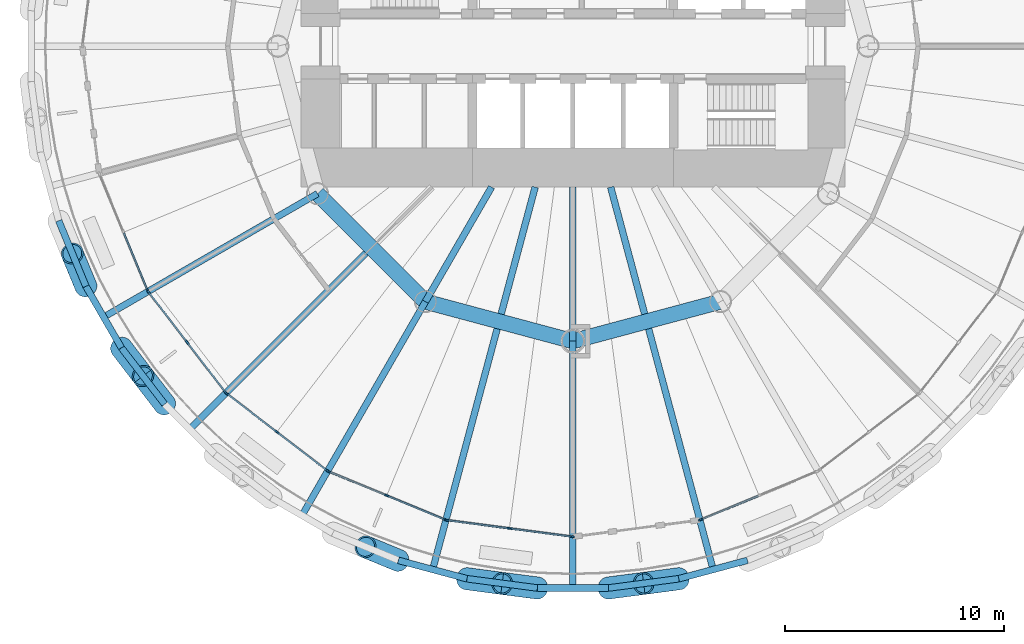
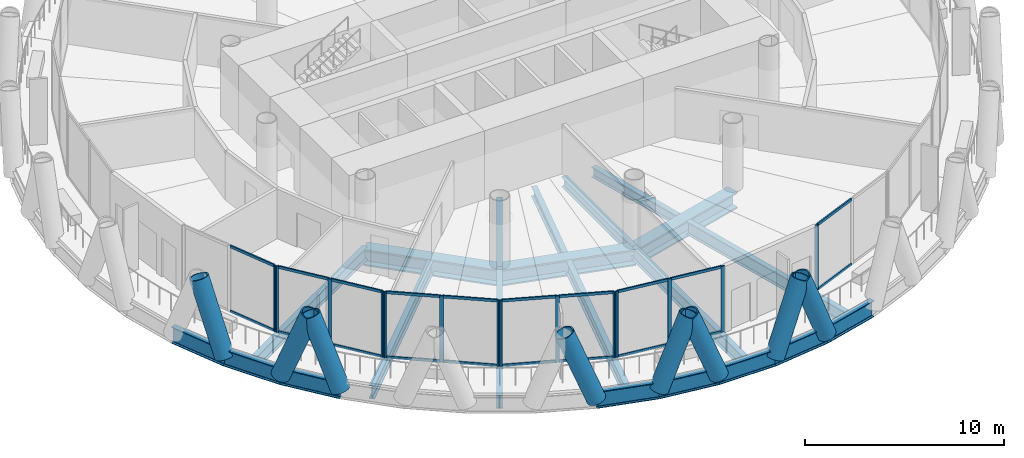
# One storey, part 2 of 15: 42 members, 21 beams, 6 elements without a shape of their own.
"""IFC4 building model written with IfcOpenShell, lengths in metres."""

from ifc_helpers import new_model, si_unit, direction, frame, origin, origin_2d, place, context, subcontext, project, spatial, rectangle, hollow_circle, i_section, extrude, material, material_profile, profile_set, type_object, element, aggregate, save


model = new_model("IFC4")

# Units and contexts
model_context = context("Model", 3, precision=1e-05, world=origin(), true_north=direction((0.0, 1.0)))
body_context = subcontext(model_context, "Body", "Model", "MODEL_VIEW")
ifc_project = project(units=[si_unit("LENGTHUNIT", "METRE"), si_unit("AREAUNIT", "SQUARE_METRE"), si_unit("VOLUMEUNIT", "CUBIC_METRE"), si_unit("PLANEANGLEUNIT", "RADIAN"), si_unit("MASSUNIT", "GRAM", prefix="KILO")], contexts=[model_context])

# Site, building, storey
site_placement = place(None, origin())
site = spatial("IfcSite", under=ifc_project, at=site_placement, CompositionType="ELEMENT")
building_placement = place(site_placement, origin())
building = spatial("IfcBuilding", under=site, at=building_placement, Name="Qaws Media Tower", CompositionType="ELEMENT")
storey_placement = place(building_placement, frame((0.0, 0.0, 147.800048828125)))
storey = spatial("IfcBuildingStorey", under=building, at=storey_placement, Name="L33", CompositionType="ELEMENT", Elevation=147.800048828125)

# Curtain wall, member
ifc_material_1 = material(Name="Aluminium and clear glass", Category="aluminium")
curtain_wall_type = type_object("IfcCurtainWallType", Name="Unitised curtain wall CW-B", PredefinedType="NOTDEFINED", material=ifc_material_1)
curtain_wall_1_placement = place(storey_placement, origin())
curtain_wall_1 = element("IfcCurtainWall", 1, at=curtain_wall_1_placement, inside=storey, type_object=curtain_wall_type, Name="CWB curtain wall L33-14", PredefinedType="NOTDEFINED")
ifc_material_2 = material(Name="Aluminium mullion", Category="aluminium")
ifc_material_profile_1 = material_profile(ifc_material_2, rectangle(XDim=0.080078125, YDim=0.199951171875, at=origin_2d()), Name="80x200")
ifc_profile_set_1 = profile_set([ifc_material_profile_1], Name="Aluminium mullion")
member_type_1 = type_object("IfcMemberType", Name="Curtain wall mullion 80x200", PredefinedType="MULLION", material=ifc_profile_set_1)
member_1_placement = place(storey_placement, frame((40.54248046875, 38.81201171875, 0.0), z_axis=(0.0, 0.0, 1.0), x_axis=(0.923879490527, 0.382683533725, 0.0)))
member_1 = element("IfcMember", 2, at=member_1_placement, type_object=member_type_1, Name="CWB mullion 3", PredefinedType="MULLION", context=body_context, shape_type="SweptSolid", body=[
    extrude(rectangle(XDim=0.080078125, YDim=0.199951171875, at=origin_2d()), origin(), (0.0, 0.0, 1.0), 4.0400390625),
])

# Curtain wall, members
curtain_wall_2_placement = place(storey_placement, origin())
curtain_wall_2 = element("IfcCurtainWall", 3, at=curtain_wall_2_placement, inside=storey, type_object=curtain_wall_type, Name="CWB curtain wall L33-15", PredefinedType="NOTDEFINED")
member_2_placement = place(storey_placement, frame((40.58203125, 38.7431640625, 0.0), z_axis=(0.0, 0.0, 1.0), x_axis=(0.793353331632, 0.608761440294, 0.0)))
member_2 = element("IfcMember", 4, at=member_2_placement, type_object=member_type_1, Name="CWB mullion 1", PredefinedType="MULLION", context=body_context, shape_type="SweptSolid", body=[
    extrude(rectangle(XDim=0.080078125, YDim=0.199951171875, at=origin_2d()), origin(), (0.0, 0.0, 1.0), 4.0400390625),
])
member_3_placement = place(storey_placement, frame((42.341552734375, 36.4501953125, 0.0), z_axis=(0.0, 0.0, 1.0), x_axis=(0.793353331632, 0.608761440294, 0.0)))
member_3 = element("IfcMember", 5, at=member_3_placement, type_object=member_type_1, Name="CWB mullion 2", PredefinedType="MULLION", context=body_context, shape_type="SweptSolid", body=[
    extrude(rectangle(XDim=0.080078125, YDim=0.199951171875, at=origin_2d()), origin(), (0.0, 0.0, 1.0), 4.0400390625),
])
member_4_placement = place(storey_placement, frame((44.10107421875, 34.1572265625, 0.0), z_axis=(0.0, 0.0, 1.0), x_axis=(0.793353331632, 0.608761440294, 0.0)))
member_4 = element("IfcMember", 6, at=member_4_placement, type_object=member_type_1, Name="CWB mullion 3", PredefinedType="MULLION", context=body_context, shape_type="SweptSolid", body=[
    extrude(rectangle(XDim=0.080078125, YDim=0.199951171875, at=origin_2d()), origin(), (0.0, 0.0, 1.0), 4.0400390625),
])

curtain_wall_3_placement = place(storey_placement, origin())
curtain_wall_3 = element("IfcCurtainWall", 7, at=curtain_wall_3_placement, inside=storey, type_object=curtain_wall_type, Name="CWB curtain wall L33-16", PredefinedType="NOTDEFINED")
member_5_placement = place(storey_placement, frame((44.1572265625, 34.10107421875, 0.0), z_axis=(0.0, 0.0, 1.0), x_axis=(0.608761440294, 0.793353331632, 0.0)))
member_5 = element("IfcMember", 8, at=member_5_placement, type_object=member_type_1, Name="CWB mullion 1", PredefinedType="MULLION", context=body_context, shape_type="SweptSolid", body=[
    extrude(rectangle(XDim=0.080078125, YDim=0.199951171875, at=origin_2d()), origin(), (0.0, 0.0, 1.0), 4.0400390625),
])
member_6_placement = place(storey_placement, frame((46.4501953125, 32.341552734375, 0.0), z_axis=(0.0, 0.0, 1.0), x_axis=(0.608761440294, 0.793353331632, 0.0)))
member_6 = element("IfcMember", 9, at=member_6_placement, type_object=member_type_1, Name="CWB mullion 2", PredefinedType="MULLION", context=body_context, shape_type="SweptSolid", body=[
    extrude(rectangle(XDim=0.080078125, YDim=0.199951171875, at=origin_2d()), origin(), (0.0, 0.0, 1.0), 4.0400390625),
])
member_7_placement = place(storey_placement, frame((48.7431640625, 30.58203125, 0.0), z_axis=(0.0, 0.0, 1.0), x_axis=(0.608761440294, 0.793353331632, 0.0)))
member_7 = element("IfcMember", 10, at=member_7_placement, type_object=member_type_1, Name="CWB mullion 3", PredefinedType="MULLION", context=body_context, shape_type="SweptSolid", body=[
    extrude(rectangle(XDim=0.080078125, YDim=0.199951171875, at=origin_2d()), origin(), (0.0, 0.0, 1.0), 4.0400390625),
])

curtain_wall_4_placement = place(storey_placement, origin())
curtain_wall_4 = element("IfcCurtainWall", 11, at=curtain_wall_4_placement, inside=storey, type_object=curtain_wall_type, Name="CWB curtain wall L33-17", PredefinedType="NOTDEFINED")
member_8_placement = place(storey_placement, frame((48.81201171875, 30.54248046875, 0.0), z_axis=(0.0, 0.0, 1.0), x_axis=(0.382683533725, 0.923879490527, 0.0)))
member_8 = element("IfcMember", 12, at=member_8_placement, type_object=member_type_1, Name="CWB mullion 1", PredefinedType="MULLION", context=body_context, shape_type="SweptSolid", body=[
    extrude(rectangle(XDim=0.080078125, YDim=0.199951171875, at=origin_2d()), origin(), (0.0, 0.0, 1.0), 4.0400390625),
])
member_9_placement = place(storey_placement, frame((51.482177734375, 29.436279296875, 0.0), z_axis=(0.0, 0.0, 1.0), x_axis=(0.382683533725, 0.923879490527, 0.0)))
member_9 = element("IfcMember", 13, at=member_9_placement, type_object=member_type_1, Name="CWB mullion 2", PredefinedType="MULLION", context=body_context, shape_type="SweptSolid", body=[
    extrude(rectangle(XDim=0.080078125, YDim=0.199951171875, at=origin_2d()), origin(), (0.0, 0.0, 1.0), 4.0400390625),
])
member_10_placement = place(storey_placement, frame((54.152587890625, 28.330322265625, 0.0), z_axis=(0.0, 0.0, 1.0), x_axis=(0.382683533725, 0.923879490527, 0.0)))
member_10 = element("IfcMember", 14, at=member_10_placement, type_object=member_type_1, Name="CWB mullion 3", PredefinedType="MULLION", context=body_context, shape_type="SweptSolid", body=[
    extrude(rectangle(XDim=0.080078125, YDim=0.199951171875, at=origin_2d()), origin(), (0.0, 0.0, 1.0), 4.0400390625),
])

curtain_wall_5_placement = place(storey_placement, origin())
curtain_wall_5 = element("IfcCurtainWall", 15, at=curtain_wall_5_placement, inside=storey, type_object=curtain_wall_type, Name="CWB curtain wall L33-18", PredefinedType="NOTDEFINED")
member_11_placement = place(storey_placement, frame((54.229248046875, 28.309814453125, 0.0), z_axis=(0.0, 0.0, 1.0), x_axis=(0.130526149047, 0.991444867058, 0.0)))
member_11 = element("IfcMember", 16, at=member_11_placement, type_object=member_type_1, Name="CWB mullion 1", PredefinedType="MULLION", context=body_context, shape_type="SweptSolid", body=[
    extrude(rectangle(XDim=0.080078125, YDim=0.199951171875, at=origin_2d()), origin(), (0.0, 0.0, 1.0), 4.0400390625),
])
member_12_placement = place(storey_placement, frame((57.0947265625, 27.932373046875, 0.0), z_axis=(0.0, 0.0, 1.0), x_axis=(0.130526149047, 0.991444867058, 0.0)))
member_12 = element("IfcMember", 17, at=member_12_placement, type_object=member_type_1, Name="CWB mullion 2", PredefinedType="MULLION", context=body_context, shape_type="SweptSolid", body=[
    extrude(rectangle(XDim=0.080078125, YDim=0.199951171875, at=origin_2d()), origin(), (0.0, 0.0, 1.0), 4.0400390625),
])
member_13_placement = place(storey_placement, frame((59.96044921875, 27.55517578125, 0.0), z_axis=(0.0, 0.0, 1.0), x_axis=(0.130526149047, 0.991444867058, 0.0)))
member_13 = element("IfcMember", 18, at=member_13_placement, type_object=member_type_1, Name="CWB mullion 3", PredefinedType="MULLION", context=body_context, shape_type="SweptSolid", body=[
    extrude(rectangle(XDim=0.080078125, YDim=0.199951171875, at=origin_2d()), origin(), (0.0, 0.0, 1.0), 4.0400390625),
])

# Curtain wall, member
curtain_wall_6_placement = place(storey_placement, origin())
curtain_wall_6 = element("IfcCurtainWall", 19, at=curtain_wall_6_placement, inside=storey, type_object=curtain_wall_type, Name="CWB curtain wall L33-20", PredefinedType="NOTDEFINED")
member_14_placement = place(storey_placement, frame((65.847412109375, 28.330322265625, 0.0), z_axis=(0.0, 0.0, 1.0), x_axis=(-0.382683533725, 0.923879490527, 0.0)))
member_14 = element("IfcMember", 20, at=member_14_placement, type_object=member_type_1, Name="CWB mullion 1", PredefinedType="MULLION", context=body_context, shape_type="SweptSolid", body=[
    extrude(rectangle(XDim=0.080078125, YDim=0.199951171875, at=origin_2d()), origin(), (0.0, 0.0, 1.0), 4.0400390625),
])

# Member
ifc_material_3 = material(Name="Aluminium transom", Category="aluminium")
ifc_material_profile_2 = material_profile(ifc_material_3, rectangle(XDim=0.080078125, YDim=0.159912109375, at=origin_2d()), Name="80x160")
ifc_profile_set_2 = profile_set([ifc_material_profile_2], Name="Aluminium transom")
member_type_2 = type_object("IfcMemberType", Name="Curtain wall transom 80x160", PredefinedType="USERDEFINED", material=ifc_profile_set_2)
member_15_placement = place(storey_placement, frame((39.45166015625, 41.4453125, 0.0400390625), z_axis=(0.382671476703, -0.923884484618, 0.0), x_axis=(0.923884484618, 0.382671476703, 0.0)))
member_15 = element("IfcMember", 21, at=member_15_placement, type_object=member_type_2, Name="CWB transom 2.1", ObjectType="TRANSOM", PredefinedType="USERDEFINED", context=body_context, shape_type="SweptSolid", body=[
    extrude(rectangle(XDim=0.080078125, YDim=0.159912109375, at=origin_2d()), origin(), (0.0, 0.0, 1.0), 2.810302734375),
])

member_16_placement = place(storey_placement, frame((39.45166015625, 41.4453125, 4.0), z_axis=(0.382671476703, -0.923884484618, 0.0), x_axis=(0.923884484618, 0.382671476703, 0.0)))
member_16 = element("IfcMember", 22, at=member_16_placement, type_object=member_type_2, Name="CWB transom 2.2", ObjectType="TRANSOM", PredefinedType="USERDEFINED", context=body_context, shape_type="SweptSolid", body=[
    extrude(rectangle(XDim=0.080078125, YDim=0.159912109375, at=origin_2d()), origin(), (0.0, 0.0, 1.0), 2.810302734375),
])

aggregate(curtain_wall_1, [member_1, member_15, member_16])

member_17_placement = place(storey_placement, frame((40.6064453125, 38.71142578125, 0.0400390625), z_axis=(0.608748849253, -0.793362992919, 0.0), x_axis=(0.793362992919, 0.608748849253, 0.0)))
member_17 = element("IfcMember", 23, at=member_17_placement, type_object=member_type_2, Name="CWB transom 1.1", ObjectType="TRANSOM", PredefinedType="USERDEFINED", context=body_context, shape_type="SweptSolid", body=[
    extrude(rectangle(XDim=0.080078125, YDim=0.159912109375, at=origin_2d()), origin(), (0.0, 0.0, 1.0), 2.81005859375),
])

member_18_placement = place(storey_placement, frame((40.6064453125, 38.71142578125, 4.0), z_axis=(0.608748849253, -0.793362992919, 0.0), x_axis=(0.793362992919, 0.608748849253, 0.0)))
member_18 = element("IfcMember", 24, at=member_18_placement, type_object=member_type_2, Name="CWB transom 1.2", ObjectType="TRANSOM", PredefinedType="USERDEFINED", context=body_context, shape_type="SweptSolid", body=[
    extrude(rectangle(XDim=0.080078125, YDim=0.159912109375, at=origin_2d()), origin(), (0.0, 0.0, 1.0), 2.81005859375),
])

member_19_placement = place(storey_placement, frame((42.365966796875, 36.41845703125, 0.0400390625), z_axis=(0.608748849253, -0.793362992919, 0.0), x_axis=(0.793362992919, 0.608748849253, 0.0)))
member_19 = element("IfcMember", 25, at=member_19_placement, type_object=member_type_2, Name="CWB transom 2.1", ObjectType="TRANSOM", PredefinedType="USERDEFINED", context=body_context, shape_type="SweptSolid", body=[
    extrude(rectangle(XDim=0.080078125, YDim=0.159912109375, at=origin_2d()), origin(), (0.0, 0.0, 1.0), 2.81005859375),
])

member_20_placement = place(storey_placement, frame((42.365966796875, 36.41845703125, 4.0), z_axis=(0.608748849253, -0.793362992919, 0.0), x_axis=(0.793362992919, 0.608748849253, 0.0)))
member_20 = element("IfcMember", 26, at=member_20_placement, type_object=member_type_2, Name="CWB transom 2.2", ObjectType="TRANSOM", PredefinedType="USERDEFINED", context=body_context, shape_type="SweptSolid", body=[
    extrude(rectangle(XDim=0.080078125, YDim=0.159912109375, at=origin_2d()), origin(), (0.0, 0.0, 1.0), 2.81005859375),
])

aggregate(curtain_wall_2, [member_2, member_3, member_4, member_17, member_18, member_19, member_20])

member_21_placement = place(storey_placement, frame((44.18896484375, 34.07666015625, 0.0400390625), z_axis=(0.793362992919, -0.608748849253, 0.0), x_axis=(0.608748849253, 0.793362992919, 0.0)))
member_21 = element("IfcMember", 27, at=member_21_placement, type_object=member_type_2, Name="CWB transom 1.1", ObjectType="TRANSOM", PredefinedType="USERDEFINED", context=body_context, shape_type="SweptSolid", body=[
    extrude(rectangle(XDim=0.080078125, YDim=0.159912109375, at=origin_2d()), origin(), (0.0, 0.0, 1.0), 2.81005859375),
])

member_22_placement = place(storey_placement, frame((44.18896484375, 34.07666015625, 4.0), z_axis=(0.793362992919, -0.608748849253, 0.0), x_axis=(0.608748849253, 0.793362992919, 0.0)))
member_22 = element("IfcMember", 28, at=member_22_placement, type_object=member_type_2, Name="CWB transom 1.2", ObjectType="TRANSOM", PredefinedType="USERDEFINED", context=body_context, shape_type="SweptSolid", body=[
    extrude(rectangle(XDim=0.080078125, YDim=0.159912109375, at=origin_2d()), origin(), (0.0, 0.0, 1.0), 2.81005859375),
])

member_23_placement = place(storey_placement, frame((46.48193359375, 32.317138671875, 0.0400390625), z_axis=(0.793362992919, -0.608748849253, 0.0), x_axis=(0.608748849253, 0.793362992919, 0.0)))
member_23 = element("IfcMember", 29, at=member_23_placement, type_object=member_type_2, Name="CWB transom 2.1", ObjectType="TRANSOM", PredefinedType="USERDEFINED", context=body_context, shape_type="SweptSolid", body=[
    extrude(rectangle(XDim=0.080078125, YDim=0.159912109375, at=origin_2d()), origin(), (0.0, 0.0, 1.0), 2.81005859375),
])

member_24_placement = place(storey_placement, frame((46.48193359375, 32.317138671875, 4.0), z_axis=(0.793362992919, -0.608748849253, 0.0), x_axis=(0.608748849253, 0.793362992919, 0.0)))
member_24 = element("IfcMember", 30, at=member_24_placement, type_object=member_type_2, Name="CWB transom 2.2", ObjectType="TRANSOM", PredefinedType="USERDEFINED", context=body_context, shape_type="SweptSolid", body=[
    extrude(rectangle(XDim=0.080078125, YDim=0.159912109375, at=origin_2d()), origin(), (0.0, 0.0, 1.0), 2.81005859375),
])

aggregate(curtain_wall_3, [member_5, member_6, member_7, member_21, member_22, member_23, member_24])

member_25_placement = place(storey_placement, frame((48.848876953125, 30.527099609375, 0.0400390625), z_axis=(0.923884484618, -0.382671476703, 0.0), x_axis=(0.382671476703, 0.923884484618, 0.0)))
member_25 = element("IfcMember", 31, at=member_25_placement, type_object=member_type_2, Name="CWB transom 1.1", ObjectType="TRANSOM", PredefinedType="USERDEFINED", context=body_context, shape_type="SweptSolid", body=[
    extrude(rectangle(XDim=0.080078125, YDim=0.159912109375, at=origin_2d()), origin(), (0.0, 0.0, 1.0), 2.810302734375),
])

member_26_placement = place(storey_placement, frame((48.848876953125, 30.527099609375, 4.0), z_axis=(0.923884484618, -0.382671476703, 0.0), x_axis=(0.382671476703, 0.923884484618, 0.0)))
member_26 = element("IfcMember", 32, at=member_26_placement, type_object=member_type_2, Name="CWB transom 1.2", ObjectType="TRANSOM", PredefinedType="USERDEFINED", context=body_context, shape_type="SweptSolid", body=[
    extrude(rectangle(XDim=0.080078125, YDim=0.159912109375, at=origin_2d()), origin(), (0.0, 0.0, 1.0), 2.810302734375),
])

member_27_placement = place(storey_placement, frame((51.519287109375, 29.421142578125, 0.0400390625), z_axis=(0.923853769543, -0.382745623752, 0.0), x_axis=(0.382745623752, 0.923853769543, 0.0)))
member_27 = element("IfcMember", 33, at=member_27_placement, type_object=member_type_2, Name="CWB transom 2.1", ObjectType="TRANSOM", PredefinedType="USERDEFINED", context=body_context, shape_type="SweptSolid", body=[
    extrude(rectangle(XDim=0.080078125, YDim=0.159912109375, at=origin_2d()), origin(), (0.0, 0.0, 1.0), 2.810546875),
])

member_28_placement = place(storey_placement, frame((51.519287109375, 29.421142578125, 4.0), z_axis=(0.923853769543, -0.382745623752, 0.0), x_axis=(0.382745623752, 0.923853769543, 0.0)))
member_28 = element("IfcMember", 34, at=member_28_placement, type_object=member_type_2, Name="CWB transom 2.2", ObjectType="TRANSOM", PredefinedType="USERDEFINED", context=body_context, shape_type="SweptSolid", body=[
    extrude(rectangle(XDim=0.080078125, YDim=0.159912109375, at=origin_2d()), origin(), (0.0, 0.0, 1.0), 2.810546875),
])

aggregate(curtain_wall_4, [member_8, member_9, member_10, member_25, member_26, member_27, member_28])

member_29_placement = place(storey_placement, frame((54.268798828125, 28.304443359375, 0.0400390625), z_axis=(0.991451042772, -0.130479231249, 0.0), x_axis=(0.130479231249, 0.991451042772, 0.0)))
member_29 = element("IfcMember", 35, at=member_29_placement, type_object=member_type_2, Name="CWB transom 1.1", ObjectType="TRANSOM", PredefinedType="USERDEFINED", context=body_context, shape_type="SweptSolid", body=[
    extrude(rectangle(XDim=0.080078125, YDim=0.159912109375, at=origin_2d()), origin(), (0.0, 0.0, 1.0), 2.810302734375),
])

member_30_placement = place(storey_placement, frame((54.268798828125, 28.304443359375, 4.0), z_axis=(0.991451042772, -0.130479231249, 0.0), x_axis=(0.130479231249, 0.991451042772, 0.0)))
member_30 = element("IfcMember", 36, at=member_30_placement, type_object=member_type_2, Name="CWB transom 1.2", ObjectType="TRANSOM", PredefinedType="USERDEFINED", context=body_context, shape_type="SweptSolid", body=[
    extrude(rectangle(XDim=0.080078125, YDim=0.159912109375, at=origin_2d()), origin(), (0.0, 0.0, 1.0), 2.810302734375),
])

member_31_placement = place(storey_placement, frame((57.134521484375, 27.92724609375, 0.0400390625), z_axis=(0.991449563628, -0.130490470081, 0.0), x_axis=(0.130490470081, 0.991449563628, 0.0)))
member_31 = element("IfcMember", 37, at=member_31_placement, type_object=member_type_2, Name="CWB transom 2.1", ObjectType="TRANSOM", PredefinedType="USERDEFINED", context=body_context, shape_type="SweptSolid", body=[
    extrude(rectangle(XDim=0.080078125, YDim=0.159912109375, at=origin_2d()), origin(), (0.0, 0.0, 1.0), 2.81005859375),
])

member_32_placement = place(storey_placement, frame((57.134521484375, 27.92724609375, 4.0), z_axis=(0.991449563628, -0.130490470081, 0.0), x_axis=(0.130490470081, 0.991449563628, 0.0)))
member_32 = element("IfcMember", 38, at=member_32_placement, type_object=member_type_2, Name="CWB transom 2.2", ObjectType="TRANSOM", PredefinedType="USERDEFINED", context=body_context, shape_type="SweptSolid", body=[
    extrude(rectangle(XDim=0.080078125, YDim=0.159912109375, at=origin_2d()), origin(), (0.0, 0.0, 1.0), 2.81005859375),
])

aggregate(curtain_wall_5, [member_11, member_12, member_13, member_29, member_30, member_31, member_32])

member_33_placement = place(storey_placement, frame((65.88427734375, 28.345458984375, 0.0400390625), z_axis=(0.923853769543, 0.382745623752, 0.0), x_axis=(-0.382745623752, 0.923853769543, 0.0)))
member_33 = element("IfcMember", 39, at=member_33_placement, type_object=member_type_2, Name="CWB transom 1.1", ObjectType="TRANSOM", PredefinedType="USERDEFINED", context=body_context, shape_type="SweptSolid", body=[
    extrude(rectangle(XDim=0.080078125, YDim=0.159912109375, at=origin_2d()), origin(), (0.0, 0.0, 1.0), 2.810546875),
])

member_34_placement = place(storey_placement, frame((65.88427734375, 28.345458984375, 4.0), z_axis=(0.923853769543, 0.382745623752, 0.0), x_axis=(-0.382745623752, 0.923853769543, 0.0)))
member_34 = element("IfcMember", 40, at=member_34_placement, type_object=member_type_2, Name="CWB transom 1.2", ObjectType="TRANSOM", PredefinedType="USERDEFINED", context=body_context, shape_type="SweptSolid", body=[
    extrude(rectangle(XDim=0.080078125, YDim=0.159912109375, at=origin_2d()), origin(), (0.0, 0.0, 1.0), 2.810546875),
])

aggregate(curtain_wall_6, [member_14, member_33, member_34])

# Members
ifc_material_4 = material(Name="Steel S460", Category="steel")
ifc_material_profile_3 = material_profile(ifc_material_4, hollow_circle(Radius=0.508056640625, WallThickness=0.070068359375, at=origin_2d()), Name="CHS 1016x70")
ifc_profile_set_3 = profile_set([ifc_material_profile_3], Name="Steel S460")
member_type_3 = type_object("IfcMemberType", Name="Diagrid member CHS 1016x70", PredefinedType="USERDEFINED", material=ifc_profile_set_3)
for number, where, z_axis, x_axis, name in (
    (41, (39.337890625, 36.194091796875, -0.6640625), (0.219177842018, -0.286725601393, 0.932603615195), (0.794468674532, 0.60730513351, 0.0), "DG3 diagrid L33 A15"),
    (42, (37.712646484375, 39.009033203125, -0.6640625), (-0.138727206888, 0.333183827093, 0.932600289209), (-0.923174661382, -0.384380728682, 0.0), "DG3 diagrid L33 B15"),
    (43, (41.31689453125, 33.615234375, -0.6640625), (-0.220260886257, 0.285910882136, 0.932598578951), (-0.792182658337, -0.61028406159, 0.0), "DG3 diagrid L33 B16"),
    (44, (55.152099609375, 25.62744140625, -0.6640625), (0.357692818797, -0.047815257075, 0.932614362195), (0.132498274346, 0.991183235984, 0.0), "DG3 diagrid L33 A18"),
    (45, (52.01220703125, 26.46875, -0.6640625), (-0.33367490582, 0.137481650879, 0.932609164065), (-0.38095379076, -0.924594078126, 0.0), "DG3 diagrid L33 B18"),
    (46, (61.625244140625, 25.203125, -0.6640625), (0.357905664619, 0.046405217951, 0.932603930391), (-0.128581385903, 0.991698959967, 0.0), "DG3 diagrid L33 A19"),
    (47, (58.374755859375, 25.203125, -0.6640625), (-0.357905664619, 0.046405217951, 0.932603930391), (-0.128581385903, -0.991698959967, 0.0), "DG3 diagrid L33 B19"),
    (48, (64.847900390625, 25.62744140625, -0.6640625), (-0.357692818797, -0.047815257075, 0.932614362195), (0.132498274346, -0.991183235984, 0.0), "DG3 diagrid L33 B20"),
):
    element("IfcMember", number, at=place(storey_placement, frame(where, z_axis=z_axis, x_axis=x_axis)), inside=storey, type_object=member_type_3, Name=name, ObjectType="DIAGRID", PredefinedType="USERDEFINED", context=body_context, shape_type="SweptSolid", body=[
        extrude(hollow_circle(Radius=0.508056640625, WallThickness=0.070068359375, at=origin_2d()), origin(), (0.0, 0.0, 1.0), 4.50341796875),
    ])

# Beams
ifc_material_5 = material(Name="Steel S460", Category="steel")
ifc_material_profile_4 = material_profile(ifc_material_5, i_section(OverallWidth=0.302001953125, OverallDepth=1.008056640625, WebThickness=0.02099609375, FlangeThickness=0.0400390625, FilletRadius=0.030029296875, at=origin_2d()), Name="HE 1000 M")
ifc_profile_set_4 = profile_set([ifc_material_profile_4], Name="Steel S460")
beam_type_1 = type_object("IfcBeamType", Name="Edge ring beam HE 1000 M", PredefinedType="BEAM", material=ifc_profile_set_4)
for number, where, z_axis, x_axis, name in (
    (49, (36.46875, 42.01220703125, -0.6640625), (0.38266798044, -0.923885932757, 0.0), (0.923885932757, 0.38266798044, 0.0), "RB3 edge ring beam L33-27"),
    (50, (37.712646484375, 39.009033203125, -0.6640625), (0.500008528526, -0.866020479782, 0.0), (0.866020479782, 0.500008528526, 0.0), "RB3 edge ring beam L33-28"),
):
    element("IfcBeam", number, at=place(storey_placement, frame(where, z_axis=z_axis, x_axis=x_axis)), inside=storey, type_object=beam_type_1, Name=name, PredefinedType="BEAM", context=body_context, shape_type="SweptSolid", body=[
        extrude(i_section(OverallWidth=0.302001953125, OverallDepth=1.008056640625, WebThickness=0.02099609375, FlangeThickness=0.0400390625, FilletRadius=0.030029296875, at=origin_2d()), origin(), (0.0, 0.0, 1.0), 3.25048828125),
    ])
for number, where, z_axis, x_axis, name in (
    (51, (39.337890625, 36.194091796875, -0.6640625), (0.60879570142, -0.793327040969, 0.0), (0.793327040969, 0.60879570142, 0.0), "RB3 edge ring beam L33-29"),
    (52, (52.01220703125, 26.46875, -0.6640625), (0.965927601825, -0.258812418621, 0.0), (0.258812418621, 0.965927601825, 0.0), "RB3 edge ring beam L33-34"),
):
    element("IfcBeam", number, at=place(storey_placement, frame(where, z_axis=z_axis, x_axis=x_axis)), inside=storey, type_object=beam_type_1, Name=name, PredefinedType="BEAM", context=body_context, shape_type="SweptSolid", body=[
        extrude(i_section(OverallWidth=0.302001953125, OverallDepth=1.008056640625, WebThickness=0.02099609375, FlangeThickness=0.0400390625, FilletRadius=0.030029296875, at=origin_2d()), origin(), (0.0, 0.0, 1.0), 3.250732421875),
    ])
for number, where, z_axis, x_axis, name in (
    (53, (55.152099609375, 25.62744140625, -0.6640625), (0.991443043354, -0.130540000708, 0.0), (0.130540000708, 0.991443043354, 0.0), "RB3 edge ring beam L33-35"),
    (54, (58.374755859375, 25.203125, -0.6640625), (1.0, 0.0, 0.0), (0.0, 1.0, 0.0), "RB3 edge ring beam L33-36"),
    (55, (61.625244140625, 25.203125, -0.6640625), (0.991443043354, 0.130540000708, 0.0), (-0.130540000708, 0.991443043354, 0.0), "RB3 edge ring beam L33-37"),
):
    element("IfcBeam", number, at=place(storey_placement, frame(where, z_axis=z_axis, x_axis=x_axis)), inside=storey, type_object=beam_type_1, Name=name, PredefinedType="BEAM", context=body_context, shape_type="SweptSolid", body=[
        extrude(i_section(OverallWidth=0.302001953125, OverallDepth=1.008056640625, WebThickness=0.02099609375, FlangeThickness=0.0400390625, FilletRadius=0.030029296875, at=origin_2d()), origin(), (0.0, 0.0, 1.0), 3.25048828125),
    ])
beam_1_placement = place(storey_placement, frame((64.847900390625, 25.62744140625, -0.6640625), z_axis=(0.965927601825, 0.258812418621, 0.0), x_axis=(-0.258812418621, 0.965927601825, 0.0)))
element("IfcBeam", 56, at=beam_1_placement, inside=storey, type_object=beam_type_1, Name="RB3 edge ring beam L33-38", PredefinedType="BEAM", context=body_context, shape_type="SweptSolid", body=[
    extrude(i_section(OverallWidth=0.302001953125, OverallDepth=1.008056640625, WebThickness=0.02099609375, FlangeThickness=0.0400390625, FilletRadius=0.030029296875, at=origin_2d()), origin(), (0.0, 0.0, 1.0), 3.250732421875),
])
ifc_material_6 = material(Name="Steel S460", Category="steel")
ifc_material_profile_5 = material_profile(ifc_material_6, i_section(OverallWidth=0.699951171875, OverallDepth=1.0, WebThickness=0.034912109375, FlangeThickness=0.090087890625, at=origin_2d()), Name="PG 1000x700")
ifc_profile_set_5 = profile_set([ifc_material_profile_5], Name="Steel S460")
beam_type_2 = type_object("IfcBeamType", Name="Inner ring girder PG 1000x700", PredefinedType="BEAM", material=ifc_profile_set_5)
beam_2_placement = place(storey_placement, frame((48.30859375, 43.25, -0.66015625), z_axis=(0.707106781187, -0.707106781187, 0.0), x_axis=(0.707106781187, 0.707106781187, 0.0)))
element("IfcBeam", 57, at=beam_2_placement, inside=storey, type_object=beam_type_2, Name="B3 inner ring beam L33 I08-I09", PredefinedType="BEAM", context=body_context, shape_type="SweptSolid", body=[
    extrude(i_section(OverallWidth=0.699951171875, OverallDepth=1.0, WebThickness=0.034912109375, FlangeThickness=0.090087890625, at=origin_2d()), origin(), (0.0, 0.0, 1.0), 6.98828125),
])
for number, where, z_axis, x_axis, name in (
    (58, (53.25, 38.30859375, -0.66015625), (0.965928090778, -0.258810593767, 0.0), (0.258810593767, 0.965928090778, 0.0), "B3 inner ring beam L33 I09-I10"),
    (59, (60.0, 36.5, -0.66015625), (0.965928090778, 0.258810593767, 0.0), (-0.258810593767, 0.965928090778, 0.0), "B3 inner ring beam L33 I10-I11"),
):
    element("IfcBeam", number, at=place(storey_placement, frame(where, z_axis=z_axis, x_axis=x_axis)), inside=storey, type_object=beam_type_2, Name=name, PredefinedType="BEAM", context=body_context, shape_type="SweptSolid", body=[
        extrude(i_section(OverallWidth=0.699951171875, OverallDepth=1.0, WebThickness=0.034912109375, FlangeThickness=0.090087890625, at=origin_2d()), origin(), (0.0, 0.0, 1.0), 6.988037109375),
    ])
ifc_material_7 = material(Name="Steel S355", Category="steel")
ifc_material_profile_6 = material_profile(ifc_material_7, i_section(OverallWidth=0.304931640625, OverallDepth=0.6201171875, WebThickness=0.02099609375, FlangeThickness=0.0400390625, FilletRadius=0.027099609375, at=origin_2d()), Name="HE 600 M")
ifc_profile_set_6 = profile_set([ifc_material_profile_6], Name="Steel S355")
beam_type_3 = type_object("IfcBeamType", Name="Radial beam HE 600 M, core side", PredefinedType="BEAM", material=ifc_profile_set_6)
beam_3_placement = place(storey_placement, frame((56.276123046875, 43.550048828125, -0.469970703125), z_axis=(-0.499995978368, -0.866027725662, 0.0), x_axis=(0.866027725662, -0.499995978368, 0.0)))
element("IfcBeam", 60, at=beam_3_placement, inside=storey, type_object=beam_type_3, Name="B2 radial beam L33 17", PredefinedType="BEAM", context=body_context, shape_type="SweptSolid", body=[
    extrude(i_section(OverallWidth=0.304931640625, OverallDepth=0.6201171875, WebThickness=0.02099609375, FlangeThickness=0.0400390625, FilletRadius=0.027099609375, at=origin_2d()), origin(), (0.0, 0.0, 1.0), 6.05224609375),
])
beam_4_placement = place(storey_placement, frame((58.271728515625, 43.550048828125, -0.469970703125), z_axis=(-0.258819977482, -0.965925576458, 0.0), x_axis=(0.965925576458, -0.258819977482, 0.0)))
element("IfcBeam", 61, at=beam_4_placement, inside=storey, type_object=beam_type_3, Name="B2 radial beam L33 18", PredefinedType="BEAM", context=body_context, shape_type="SweptSolid", body=[
    extrude(i_section(OverallWidth=0.304931640625, OverallDepth=0.6201171875, WebThickness=0.02099609375, FlangeThickness=0.0400390625, FilletRadius=0.027099609375, at=origin_2d()), origin(), (0.0, 0.0, 1.0), 6.012451171875),
])
beam_5_placement = place(storey_placement, frame((60.0, 43.550048828125, -0.469970703125), z_axis=(0.0, -1.0, 0.0), x_axis=(1.0, 0.0, 0.0)))
element("IfcBeam", 62, at=beam_5_placement, inside=storey, type_object=beam_type_3, Name="B2 radial beam L33 19", PredefinedType="BEAM", context=body_context, shape_type="SweptSolid", body=[
    extrude(i_section(OverallWidth=0.304931640625, OverallDepth=0.6201171875, WebThickness=0.02099609375, FlangeThickness=0.0400390625, FilletRadius=0.027099609375, at=origin_2d()), origin(), (0.0, 0.0, 1.0), 7.050048828125),
])
beam_6_placement = place(storey_placement, frame((61.728271484375, 43.550048828125, -0.469970703125), z_axis=(0.258819977482, -0.965925576458, 0.0), x_axis=(0.965925576458, 0.258819977482, 0.0)))
element("IfcBeam", 63, at=beam_6_placement, inside=storey, type_object=beam_type_3, Name="B2 radial beam L33 20", PredefinedType="BEAM", context=body_context, shape_type="SweptSolid", body=[
    extrude(i_section(OverallWidth=0.304931640625, OverallDepth=0.6201171875, WebThickness=0.02099609375, FlangeThickness=0.0400390625, FilletRadius=0.027099609375, at=origin_2d()), origin(), (0.0, 0.0, 1.0), 6.012451171875),
])
ifc_material_8 = material(Name="Steel S355", Category="steel")
ifc_material_profile_7 = material_profile(ifc_material_8, i_section(OverallWidth=0.300048828125, OverallDepth=0.800048828125, WebThickness=0.017578125, FlangeThickness=0.032958984375, FilletRadius=0.030029296875, at=origin_2d()), Name="HE 800 B")
ifc_profile_set_7 = profile_set([ifc_material_profile_7], Name="Steel S355")
beam_type_4 = type_object("IfcBeamType", Name="Radial beam HE 800 B", PredefinedType="BEAM", material=ifc_profile_set_7)
beam_7_placement = place(storey_placement, frame((48.30859375, 43.25, -0.56005859375), z_axis=(-0.866021473228, -0.500006807861, 0.0), x_axis=(0.500006807861, -0.866021473228, 0.0)))
element("IfcBeam", 64, at=beam_7_placement, inside=storey, type_object=beam_type_4, Name="B1 radial beam L33 15", PredefinedType="BEAM", context=body_context, shape_type="SweptSolid", body=[
    extrude(i_section(OverallWidth=0.300048828125, OverallDepth=0.800048828125, WebThickness=0.017578125, FlangeThickness=0.032958984375, FilletRadius=0.030029296875, at=origin_2d()), origin(), (0.0, 0.0, 1.0), 11.296630859375),
])
beam_8_placement = place(storey_placement, frame((50.53173828125, 40.53173828125, -0.56005859375), z_axis=(-0.707106781187, -0.707106781187, 0.0), x_axis=(0.707106781187, -0.707106781187, 0.0)))
element("IfcBeam", 65, at=beam_8_placement, inside=storey, type_object=beam_type_4, Name="B1 radial beam L33 16", PredefinedType="BEAM", context=body_context, shape_type="SweptSolid", body=[
    extrude(i_section(OverallWidth=0.300048828125, OverallDepth=0.800048828125, WebThickness=0.017578125, FlangeThickness=0.032958984375, FilletRadius=0.030029296875, at=origin_2d()), origin(), (0.0, 0.0, 1.0), 11.406494140625),
])
beam_9_placement = place(storey_placement, frame((53.25, 38.30859375, -0.56005859375), z_axis=(-0.500006807861, -0.866021473228, 0.0), x_axis=(0.866021473228, -0.500006807861, 0.0)))
element("IfcBeam", 66, at=beam_9_placement, inside=storey, type_object=beam_type_4, Name="B1 radial beam L33 17", PredefinedType="BEAM", context=body_context, shape_type="SweptSolid", body=[
    extrude(i_section(OverallWidth=0.300048828125, OverallDepth=0.800048828125, WebThickness=0.017578125, FlangeThickness=0.032958984375, FilletRadius=0.030029296875, at=origin_2d()), origin(), (0.0, 0.0, 1.0), 11.296630859375),
])
beam_10_placement = place(storey_placement, frame((56.534423828125, 37.066162109375, -0.56005859375), z_axis=(-0.258828090141, -0.965923402633, 0.0), x_axis=(0.965923402633, -0.258828090141, 0.0)))
element("IfcBeam", 67, at=beam_10_placement, inside=storey, type_object=beam_type_4, Name="B1 radial beam L33 18", PredefinedType="BEAM", context=body_context, shape_type="SweptSolid", body=[
    extrude(i_section(OverallWidth=0.300048828125, OverallDepth=0.800048828125, WebThickness=0.017578125, FlangeThickness=0.032958984375, FilletRadius=0.030029296875, at=origin_2d()), origin(), (0.0, 0.0, 1.0), 11.40673828125),
])
beam_11_placement = place(storey_placement, frame((60.0, 36.5, -0.56005859375), z_axis=(0.0, -1.0, 0.0), x_axis=(1.0, 0.0, 0.0)))
element("IfcBeam", 68, at=beam_11_placement, inside=storey, type_object=beam_type_4, Name="B1 radial beam L33 19", PredefinedType="BEAM", context=body_context, shape_type="SweptSolid", body=[
    extrude(i_section(OverallWidth=0.300048828125, OverallDepth=0.800048828125, WebThickness=0.017578125, FlangeThickness=0.032958984375, FilletRadius=0.030029296875, at=origin_2d()), origin(), (0.0, 0.0, 1.0), 11.296875),
])
beam_12_placement = place(storey_placement, frame((63.465576171875, 37.066162109375, -0.56005859375), z_axis=(0.258828090141, -0.965923402633, 0.0), x_axis=(0.965923402633, 0.258828090141, 0.0)))
element("IfcBeam", 69, at=beam_12_placement, inside=storey, type_object=beam_type_4, Name="B1 radial beam L33 20", PredefinedType="BEAM", context=body_context, shape_type="SweptSolid", body=[
    extrude(i_section(OverallWidth=0.300048828125, OverallDepth=0.800048828125, WebThickness=0.017578125, FlangeThickness=0.032958984375, FilletRadius=0.030029296875, at=origin_2d()), origin(), (0.0, 0.0, 1.0), 11.40673828125),
])

save(model, "model.ifc")
